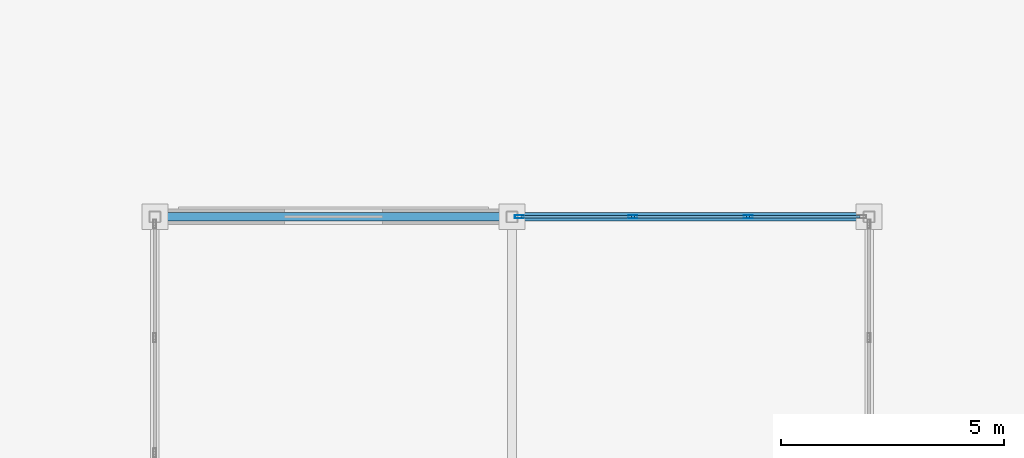
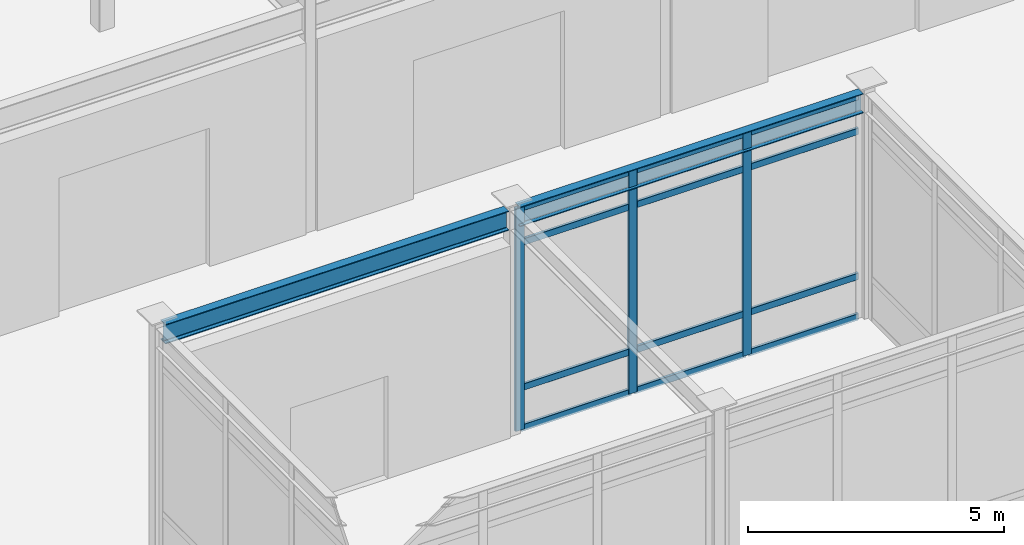
# One storey, part 72 of 128: 15 members, 2 beams, 1 element without a shape of its own.
"""IFC4 building model written with IfcOpenShell, lengths in metres."""

from ifc_helpers import new_model, si_unit, direction, frame, origin, origin_2d, place, context, subcontext, project, spatial, hollow_rectangle, i_section, extrude, material, material_profile, profile_set, type_object, element, aggregate, save


model = new_model("IFC4")

# Units and contexts
model_context = context("Model", 3, precision=1e-05, world=origin(), true_north=direction((0.0, 1.0)))
body_context = subcontext(model_context, "Body", "Model", "MODEL_VIEW")
ifc_project = project(units=[si_unit("LENGTHUNIT", "METRE"), si_unit("AREAUNIT", "SQUARE_METRE"), si_unit("VOLUMEUNIT", "CUBIC_METRE"), si_unit("PLANEANGLEUNIT", "RADIAN"), si_unit("MASSUNIT", "GRAM", prefix="KILO")], contexts=[model_context])

# Site, building, storey
site_placement = place(None, origin())
site = spatial("IfcSite", under=ifc_project, at=site_placement, CompositionType="ELEMENT")
building_placement = place(site_placement, origin())
building = spatial("IfcBuilding", under=site, at=building_placement, Name="Solmirada Galleria", CompositionType="ELEMENT")
storey_placement = place(building_placement, origin())
storey = spatial("IfcBuildingStorey", under=building, at=storey_placement, Name="L00", CompositionType="ELEMENT", Elevation=0.0)

# Beams
ifc_material_1 = material(Name="Steel S355 / ASTM A992 Grade 50", Category="steel")
ifc_material_profile_1 = material_profile(ifc_material_1, i_section(OverallWidth=0.193115234375, OverallDepth=0.466064453125, WebThickness=0.011474609375, FlangeThickness=0.01904296875, FilletRadius=0.013916015625, at=origin_2d()), Name="W18X65")
ifc_profile_set_1 = profile_set([ifc_material_profile_1], Name="Steel S355 / ASTM A992 Grade 50")
beam_type = type_object("IfcBeamType", Name="BM-GIRD-W18C", PredefinedType="BEAM", material=ifc_profile_set_1)
for number, where, z_axis, x_axis, name in (
    (1, (120.126953125, 64.0, 5.139892578125), (1.0, 0.0, 0.0), (0.0, 1.0, 0.0), "Arcade boutique roof girder BE"),
    (2, (128.126953125, 64.0, 5.139892578125), (1.0, 0.0, 0.0), (0.0, 1.0, 0.0), "Arcade boutique roof girder BE"),
):
    element("IfcBeam", number, at=place(storey_placement, frame(where, z_axis=z_axis, x_axis=x_axis)), inside=storey, type_object=beam_type, Name=name, PredefinedType="BEAM", context=body_context, shape_type="SweptSolid", body=[
        extrude(i_section(OverallWidth=0.193115234375, OverallDepth=0.466064453125, WebThickness=0.011474609375, FlangeThickness=0.01904296875, FilletRadius=0.013916015625, at=origin_2d()), origin(), (0.0, 0.0, 1.0), 7.74609375),
    ])

# Curtain wall, members
ifc_material_2 = material(Name="Impact-resistant low-E double glazing", Category="glass")
curtain_wall_type = type_object("IfcCurtainWallType", Name="CW-FZ5-L00-B3-L077", PredefinedType="NOTDEFINED", material=ifc_material_2)
curtain_wall_placement = place(storey_placement, origin())
curtain_wall = element("IfcCurtainWall", 3, at=curtain_wall_placement, inside=storey, type_object=curtain_wall_type, Name="Terrace and arcade storefront CW-L00-041", PredefinedType="NOTDEFINED")
ifc_material_3 = material(Name="Anodised aluminium framing", Category="aluminium")
ifc_material_profile_2 = material_profile(ifc_material_3, hollow_rectangle(XDim=0.070068359375, YDim=0.199951171875, WallThickness=0.004150390625, InnerFilletRadius=0.004150390625, OuterFilletRadius=0.00830078125, at=origin_2d()), Name="ALU-MULL-200X70")
ifc_profile_set_2 = profile_set([ifc_material_profile_2], Name="Anodised aluminium framing")
member_type_1 = type_object("IfcMemberType", Name="CW-MULL-200", PredefinedType="MULLION", material=ifc_profile_set_2)
member_1_placement = place(storey_placement, frame((128.1640625, 64.0, 0.0), z_axis=(0.0, 0.0, 1.0), x_axis=(0.0, 1.0, 0.0)))
member_1 = element("IfcMember", 4, at=member_1_placement, type_object=member_type_1, Name="CW08 mullion 1", PredefinedType="MULLION", context=body_context, shape_type="SweptSolid", body=[
    extrude(hollow_rectangle(XDim=0.070068359375, YDim=0.199951171875, WallThickness=0.004150390625, InnerFilletRadius=0.004150390625, OuterFilletRadius=0.00830078125, at=origin_2d()), origin(), (0.0, 0.0, 1.0), 5.320068359375),
])
member_2_placement = place(storey_placement, frame((130.709716796875, 64.0, 0.0), z_axis=(0.0, 0.0, 1.0), x_axis=(0.0, 1.0, 0.0)))
member_2 = element("IfcMember", 5, at=member_2_placement, type_object=member_type_1, Name="CW08 mullion 2", PredefinedType="MULLION", context=body_context, shape_type="SweptSolid", body=[
    extrude(hollow_rectangle(XDim=0.070068359375, YDim=0.199951171875, WallThickness=0.004150390625, InnerFilletRadius=0.004150390625, OuterFilletRadius=0.00830078125, at=origin_2d()), origin(), (0.0, 0.0, 1.0), 5.320068359375),
])
member_3_placement = place(storey_placement, frame((133.290283203125, 64.0, 0.0), z_axis=(0.0, 0.0, 1.0), x_axis=(0.0, 1.0, 0.0)))
member_3 = element("IfcMember", 6, at=member_3_placement, type_object=member_type_1, Name="CW08 mullion 3", PredefinedType="MULLION", context=body_context, shape_type="SweptSolid", body=[
    extrude(hollow_rectangle(XDim=0.070068359375, YDim=0.199951171875, WallThickness=0.004150390625, InnerFilletRadius=0.004150390625, OuterFilletRadius=0.00830078125, at=origin_2d()), origin(), (0.0, 0.0, 1.0), 5.320068359375),
])
ifc_material_profile_3 = material_profile(ifc_material_3, hollow_rectangle(XDim=0.06494140625, YDim=0.159912109375, WallThickness=0.00390625, InnerFilletRadius=0.00390625, OuterFilletRadius=0.007568359375, at=origin_2d()), Name="ALU-TRAN-160X65")
ifc_profile_set_3 = profile_set([ifc_material_profile_3], Name="Anodised aluminium framing")
member_type_2 = type_object("IfcMemberType", Name="CW-TRAN-160", PredefinedType="USERDEFINED", material=ifc_profile_set_3)
member_4_placement = place(storey_placement, frame((128.198974609375, 64.0, 0.032470703125), z_axis=(1.0, 0.0, 0.0), x_axis=(0.0, 1.0, 0.0)))
member_4 = element("IfcMember", 7, at=member_4_placement, type_object=member_type_2, Name="CW08 transom 1.1", ObjectType="TRANSOM", PredefinedType="USERDEFINED", context=body_context, shape_type="SweptSolid", body=[
    extrude(hollow_rectangle(XDim=0.06494140625, YDim=0.159912109375, WallThickness=0.00390625, InnerFilletRadius=0.00390625, OuterFilletRadius=0.007568359375, at=origin_2d()), origin(), (0.0, 0.0, 1.0), 2.4755859375),
])
member_5_placement = place(storey_placement, frame((128.198974609375, 64.0, 1.0), z_axis=(1.0, 0.0, 0.0), x_axis=(0.0, 1.0, 0.0)))
member_5 = element("IfcMember", 8, at=member_5_placement, type_object=member_type_2, Name="CW08 transom 1.2", ObjectType="TRANSOM", PredefinedType="USERDEFINED", context=body_context, shape_type="SweptSolid", body=[
    extrude(hollow_rectangle(XDim=0.06494140625, YDim=0.159912109375, WallThickness=0.00390625, InnerFilletRadius=0.00390625, OuterFilletRadius=0.007568359375, at=origin_2d()), origin(), (0.0, 0.0, 1.0), 2.4755859375),
])
member_6_placement = place(storey_placement, frame((128.198974609375, 64.0, 4.4599609375), z_axis=(1.0, 0.0, 0.0), x_axis=(0.0, 1.0, 0.0)))
member_6 = element("IfcMember", 9, at=member_6_placement, type_object=member_type_2, Name="CW08 transom 1.3", ObjectType="TRANSOM", PredefinedType="USERDEFINED", context=body_context, shape_type="SweptSolid", body=[
    extrude(hollow_rectangle(XDim=0.06494140625, YDim=0.159912109375, WallThickness=0.00390625, InnerFilletRadius=0.00390625, OuterFilletRadius=0.007568359375, at=origin_2d()), origin(), (0.0, 0.0, 1.0), 2.4755859375),
])
member_7_placement = place(storey_placement, frame((128.198974609375, 64.0, 5.28759765625), z_axis=(1.0, 0.0, 0.0), x_axis=(0.0, 1.0, 0.0)))
member_7 = element("IfcMember", 10, at=member_7_placement, type_object=member_type_2, Name="CW08 transom 1.4", ObjectType="TRANSOM", PredefinedType="USERDEFINED", context=body_context, shape_type="SweptSolid", body=[
    extrude(hollow_rectangle(XDim=0.06494140625, YDim=0.159912109375, WallThickness=0.00390625, InnerFilletRadius=0.00390625, OuterFilletRadius=0.007568359375, at=origin_2d()), origin(), (0.0, 0.0, 1.0), 2.4755859375),
])
member_8_placement = place(storey_placement, frame((130.74462890625, 64.0, 0.032470703125), z_axis=(1.0, 0.0, 0.0), x_axis=(0.0, 1.0, 0.0)))
member_8 = element("IfcMember", 11, at=member_8_placement, type_object=member_type_2, Name="CW08 transom 2.1", ObjectType="TRANSOM", PredefinedType="USERDEFINED", context=body_context, shape_type="SweptSolid", body=[
    extrude(hollow_rectangle(XDim=0.06494140625, YDim=0.159912109375, WallThickness=0.00390625, InnerFilletRadius=0.00390625, OuterFilletRadius=0.007568359375, at=origin_2d()), origin(), (0.0, 0.0, 1.0), 2.5107421875),
])
member_9_placement = place(storey_placement, frame((130.74462890625, 64.0, 1.0), z_axis=(1.0, 0.0, 0.0), x_axis=(0.0, 1.0, 0.0)))
member_9 = element("IfcMember", 12, at=member_9_placement, type_object=member_type_2, Name="CW08 transom 2.2", ObjectType="TRANSOM", PredefinedType="USERDEFINED", context=body_context, shape_type="SweptSolid", body=[
    extrude(hollow_rectangle(XDim=0.06494140625, YDim=0.159912109375, WallThickness=0.00390625, InnerFilletRadius=0.00390625, OuterFilletRadius=0.007568359375, at=origin_2d()), origin(), (0.0, 0.0, 1.0), 2.5107421875),
])
member_10_placement = place(storey_placement, frame((130.74462890625, 64.0, 4.4599609375), z_axis=(1.0, 0.0, 0.0), x_axis=(0.0, 1.0, 0.0)))
member_10 = element("IfcMember", 13, at=member_10_placement, type_object=member_type_2, Name="CW08 transom 2.3", ObjectType="TRANSOM", PredefinedType="USERDEFINED", context=body_context, shape_type="SweptSolid", body=[
    extrude(hollow_rectangle(XDim=0.06494140625, YDim=0.159912109375, WallThickness=0.00390625, InnerFilletRadius=0.00390625, OuterFilletRadius=0.007568359375, at=origin_2d()), origin(), (0.0, 0.0, 1.0), 2.5107421875),
])
member_11_placement = place(storey_placement, frame((130.74462890625, 64.0, 5.28759765625), z_axis=(1.0, 0.0, 0.0), x_axis=(0.0, 1.0, 0.0)))
member_11 = element("IfcMember", 14, at=member_11_placement, type_object=member_type_2, Name="CW08 transom 2.4", ObjectType="TRANSOM", PredefinedType="USERDEFINED", context=body_context, shape_type="SweptSolid", body=[
    extrude(hollow_rectangle(XDim=0.06494140625, YDim=0.159912109375, WallThickness=0.00390625, InnerFilletRadius=0.00390625, OuterFilletRadius=0.007568359375, at=origin_2d()), origin(), (0.0, 0.0, 1.0), 2.5107421875),
])
member_12_placement = place(storey_placement, frame((133.325439453125, 64.0, 0.032470703125), z_axis=(1.0, 0.0, 0.0), x_axis=(0.0, 1.0, 0.0)))
member_12 = element("IfcMember", 15, at=member_12_placement, type_object=member_type_2, Name="CW08 transom 3.1", ObjectType="TRANSOM", PredefinedType="USERDEFINED", context=body_context, shape_type="SweptSolid", body=[
    extrude(hollow_rectangle(XDim=0.06494140625, YDim=0.159912109375, WallThickness=0.00390625, InnerFilletRadius=0.00390625, OuterFilletRadius=0.007568359375, at=origin_2d()), origin(), (0.0, 0.0, 1.0), 2.4755859375),
])
member_13_placement = place(storey_placement, frame((133.325439453125, 64.0, 1.0), z_axis=(1.0, 0.0, 0.0), x_axis=(0.0, 1.0, 0.0)))
member_13 = element("IfcMember", 16, at=member_13_placement, type_object=member_type_2, Name="CW08 transom 3.2", ObjectType="TRANSOM", PredefinedType="USERDEFINED", context=body_context, shape_type="SweptSolid", body=[
    extrude(hollow_rectangle(XDim=0.06494140625, YDim=0.159912109375, WallThickness=0.00390625, InnerFilletRadius=0.00390625, OuterFilletRadius=0.007568359375, at=origin_2d()), origin(), (0.0, 0.0, 1.0), 2.4755859375),
])
member_14_placement = place(storey_placement, frame((133.325439453125, 64.0, 4.4599609375), z_axis=(1.0, 0.0, 0.0), x_axis=(0.0, 1.0, 0.0)))
member_14 = element("IfcMember", 17, at=member_14_placement, type_object=member_type_2, Name="CW08 transom 3.3", ObjectType="TRANSOM", PredefinedType="USERDEFINED", context=body_context, shape_type="SweptSolid", body=[
    extrude(hollow_rectangle(XDim=0.06494140625, YDim=0.159912109375, WallThickness=0.00390625, InnerFilletRadius=0.00390625, OuterFilletRadius=0.007568359375, at=origin_2d()), origin(), (0.0, 0.0, 1.0), 2.4755859375),
])
member_15_placement = place(storey_placement, frame((133.325439453125, 64.0, 5.28759765625), z_axis=(1.0, 0.0, 0.0), x_axis=(0.0, 1.0, 0.0)))
member_15 = element("IfcMember", 18, at=member_15_placement, type_object=member_type_2, Name="CW08 transom 3.4", ObjectType="TRANSOM", PredefinedType="USERDEFINED", context=body_context, shape_type="SweptSolid", body=[
    extrude(hollow_rectangle(XDim=0.06494140625, YDim=0.159912109375, WallThickness=0.00390625, InnerFilletRadius=0.00390625, OuterFilletRadius=0.007568359375, at=origin_2d()), origin(), (0.0, 0.0, 1.0), 2.4755859375),
])
aggregate(curtain_wall, [member_1, member_2, member_3, member_4, member_5, member_6, member_7, member_8, member_9, member_10, member_11, member_12, member_13, member_14, member_15])

save(model, "model.ifc")
